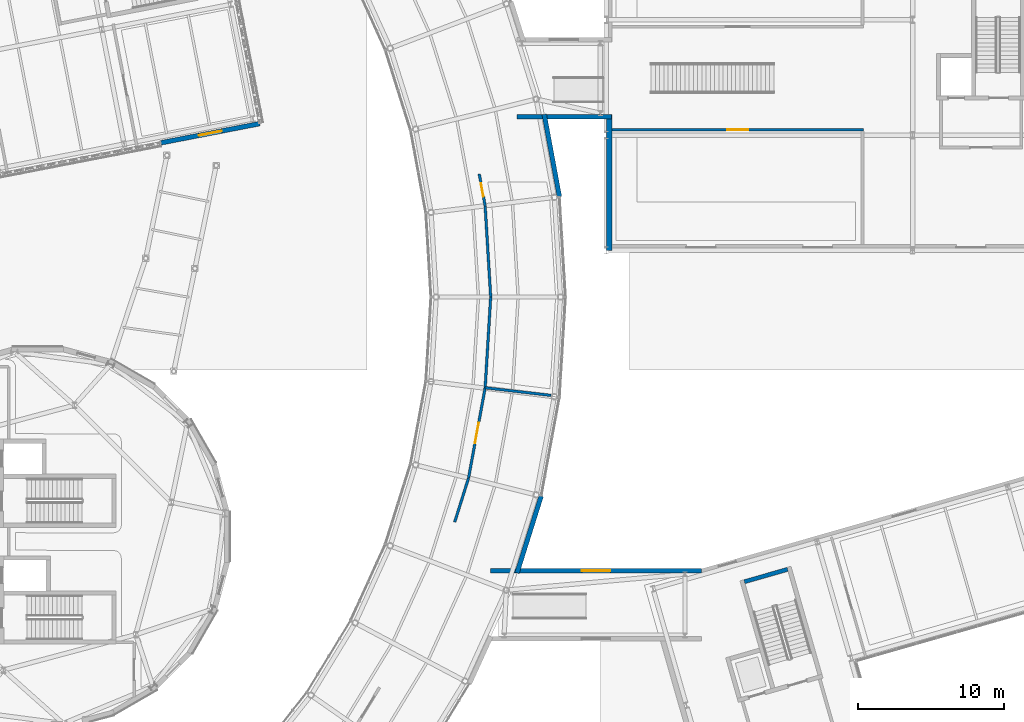
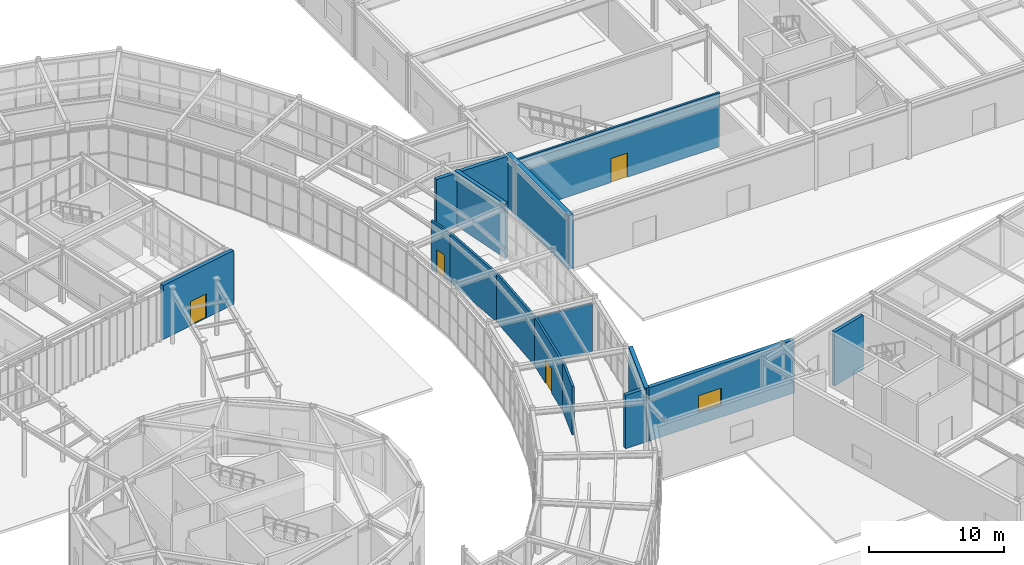
# One storey, part 74 of 97: 14 walls, 4 doors, 1 window, 5 openings.
"""IFC4 building model written with IfcOpenShell, lengths in metres."""

from ifc_helpers import new_model, si_unit, direction, frame, frame_2d, origin, place, context, subcontext, project, spatial, rectangle, extrude, material, layer, layer_set, type_object, element, fill, save


model = new_model("IFC4")

# Units and contexts
model_context = context("Model", 3, precision=1e-05, world=origin(), true_north=direction((0.0, 1.0)))
body_context = subcontext(model_context, "Body", "Model", "MODEL_VIEW")
ifc_project = project(units=[si_unit("LENGTHUNIT", "METRE"), si_unit("AREAUNIT", "SQUARE_METRE"), si_unit("VOLUMEUNIT", "CUBIC_METRE"), si_unit("PLANEANGLEUNIT", "RADIAN"), si_unit("MASSUNIT", "GRAM", prefix="KILO")], contexts=[model_context])

# Site, building, storey
site_placement = place(None, origin())
site = spatial("IfcSite", under=ifc_project, at=site_placement, CompositionType="ELEMENT")
building_placement = place(site_placement, origin())
building = spatial("IfcBuilding", under=site, at=building_placement, Name="Varnklinge Art Gallery", CompositionType="ELEMENT")
storey_placement = place(building_placement, origin())
storey = spatial("IfcBuildingStorey", under=building, at=storey_placement, Name="L00", CompositionType="ELEMENT", Elevation=0.0)

# Walls
ifc_material_1 = material(Name="Precast concrete C40/50", Category="concrete")
ifc_layer_1 = layer(ifc_material_1, 0.320068359375)
ifc_layer_set_1 = layer_set([ifc_layer_1], Name="Precast concrete C40/50")
wall_type_1 = type_object("IfcWallType", Name="EW-32", PredefinedType="SOLIDWALL", material=ifc_layer_set_1)
wall_1_placement = place(storey_placement, frame((109.93798828125, 41.349853515625, 0.0), z_axis=(0.0, 0.0, 1.0), x_axis=(-0.299711664702, -0.954029830792, 0.0)))
element("IfcWall", 1, at=wall_1_placement, inside=storey, type_object=wall_type_1, Name="EW-V2O-L00-K3-1", PredefinedType="SOLIDWALL", context=body_context, shape_type="SweptSolid", body=[
    extrude(rectangle(XDim=5.523681640625, YDim=0.320068359375, at=frame_2d((2.76171875, 0.0))), origin(), (0.0, 0.0, 1.0), 4.8798828125),
])
wall_2_placement = place(storey_placement, frame((110.14697265625, 67.52001953125, 0.0), z_axis=(0.0, 0.0, 1.0), x_axis=(0.181632279839, -0.983366521151, 0.0)))
element("IfcWall", 2, at=wall_2_placement, inside=storey, type_object=wall_type_1, Name="EW-V2O-L00-K7-1", PredefinedType="SOLIDWALL", context=body_context, shape_type="SweptSolid", body=[
    extrude(rectangle(XDim=5.739501953125, YDim=0.320068359375, at=frame_2d((2.86962890625, 0.0))), origin(), (0.0, 0.0, 1.0), 4.8798828125),
])

# Wall, opening, door
wall_3_placement = place(storey_placement, frame((90.6494140625, 66.887451171875, 0.0), z_axis=(0.0, 0.0, 1.0), x_axis=(-0.981626436546, -0.190812837813, 0.0)))
wall_3 = element("IfcWall", 3, at=wall_3_placement, inside=storey, type_object=wall_type_1, Name="EW-V4B-L00-EXIT", PredefinedType="SOLIDWALL", context=body_context, shape_type="SweptSolid", body=[
    extrude(rectangle(XDim=6.900146484375, YDim=0.320068359375, at=frame_2d((3.4501953125, 0.0))), origin(), (0.0, 0.0, 1.0), 4.8798828125),
])
opening_1_placement = place(wall_3_placement, frame((2.64990234375, 0.0, 0.0)))
opening_1 = element("IfcOpeningElement", 4, at=opening_1_placement, cuts=wall_3, Name="Opening D-L00-E16", PredefinedType="OPENING", context=body_context, shape_type="SweptSolid", body=[
    extrude(rectangle(XDim=1.60009765625, YDim=2.199951171875, at=frame_2d((0.800048828125, 1.10009765625))), frame((0.0, 0.170166015625, 0.0), z_axis=(0.0, -1.0, 0.0), x_axis=(1.0, 0.0, 0.0)), (0.0, 0.0, 1.0), 0.340087890625),
])
ifc_material_2 = material(Name="Anodised Aluminium", Category="aluminium")
door_type_1 = type_object("IfcDoorType", Name="ED-03", OperationType="DOUBLE_DOOR_SINGLE_SWING", PredefinedType="DOOR", material=ifc_material_2)
door_1_placement = place(opening_1_placement, origin())
door_1 = element("IfcDoor", 5, at=door_1_placement, inside=storey, type_object=door_type_1, Name="L00 Lattice Box Core C8 Final Exit Door D-L00-E16", OperationType="DOUBLE_DOOR_SINGLE_SWING", OverallHeight=2.199951171875, OverallWidth=1.60009765625, PredefinedType="DOOR", context=body_context, shape_type="SweptSolid", body=[
    extrude(rectangle(XDim=1.60009765625, YDim=2.199951171875, at=frame_2d((0.800048828125, 1.10009765625))), frame((0.0, 0.02490234375, 0.0), z_axis=(0.0, -1.0, 0.0), x_axis=(1.0, 0.0, 0.0)), (0.0, 0.0, 1.0), 0.050048828125),
])
fill(opening_1, door_1)

# Wall
wall_4_placement = place(storey_placement, frame((114.75, 67.360107421875, 0.0), z_axis=(0.0, 0.0, 1.0), x_axis=(-1.0, 0.0, 0.0)))
element("IfcWall", 6, at=wall_4_placement, inside=storey, type_object=wall_type_1, Name="L00 Gallery Link Wall EW-LNK-V1-L00-S", PredefinedType="SOLIDWALL", context=body_context, shape_type="SweptSolid", body=[
    extrude(rectangle(XDim=6.465576171875, YDim=0.320068359375, at=frame_2d((3.23291015625, 0.0))), origin(), (0.0, 0.0, 1.0), 4.820068359375),
])

# Wall, opening, window
wall_5_placement = place(storey_placement, frame((106.47998046875, 36.239990234375, 0.0), z_axis=(0.0, 0.0, 1.0), x_axis=(1.0, 0.0, 0.0)))
wall_5 = element("IfcWall", 7, at=wall_5_placement, inside=storey, type_object=wall_type_1, Name="L00 Gallery Link Wall EW-LNK-V6-L00-N", PredefinedType="SOLIDWALL", context=body_context, shape_type="SweptSolid", body=[
    extrude(rectangle(XDim=14.43994140625, YDim=0.320068359375, at=frame_2d((7.219970703125, 0.0))), origin(), (0.0, 0.0, 1.0), 4.820068359375),
])
opening_2_placement = place(wall_5_placement, frame((6.2451171875, 0.0, 1.1201171875)))
opening_2 = element("IfcOpeningElement", 8, at=opening_2_placement, cuts=wall_5, Name="Opening WN-05", PredefinedType="OPENING", context=body_context, shape_type="SweptSolid", body=[
    extrude(rectangle(XDim=1.949951171875, YDim=1.5, at=frame_2d((0.97509765625, 0.75))), frame((0.0, 0.170166015625, 0.0), z_axis=(0.0, -1.0, 0.0), x_axis=(1.0, 0.0, 0.0)), (0.0, 0.0, 1.0), 0.340087890625),
])
ifc_material_3 = material(Name="Insulated Low-E Triple Glazing", Category="glass")
window_type = type_object("IfcWindowType", Name="WN-05", PartitioningType="SINGLE_PANEL", PredefinedType="WINDOW", material=ifc_material_3)
window_placement = place(opening_2_placement, origin())
window = element("IfcWindow", 9, at=window_placement, inside=storey, type_object=window_type, Name="L00 Window WIN-L00-234", OverallHeight=1.5, OverallWidth=1.949951171875, PartitioningType="SINGLE_PANEL", PredefinedType="WINDOW", context=body_context, shape_type="SweptSolid", body=[
    extrude(rectangle(XDim=1.949951171875, YDim=1.5, at=frame_2d((0.97509765625, 0.75))), frame((0.0, 0.030029296875, 0.0), z_axis=(0.0, -1.0, 0.0), x_axis=(1.0, 0.0, 0.0)), (0.0, 0.0, 1.0), 0.06005859375),
])
fill(opening_2, window)

# Wall
ifc_material_4 = material(Name="Concrete C45/55", Category="concrete")
ifc_layer_2 = layer(ifc_material_4, 0.39990234375)
ifc_layer_set_2 = layer_set([ifc_layer_2], Name="Concrete C45/55")
wall_type_2 = type_object("IfcWallType", Name="EW-40", PredefinedType="SOLIDWALL", material=ifc_layer_set_2)
wall_6_placement = place(storey_placement, frame((114.60009765625, 58.199951171875, 0.0), z_axis=(0.0, 0.0, 1.0), x_axis=(0.0, 1.0, 0.0)))
element("IfcWall", 10, at=wall_6_placement, inside=storey, type_object=wall_type_2, Name="L00 Exterior Wall EW-V1-L00-01", PredefinedType="SOLIDWALL", context=body_context, shape_type="SweptSolid", body=[
    extrude(rectangle(XDim=9.320068359375, YDim=0.39990234375, at=frame_2d((4.66015625, 0.0))), origin(), (0.0, 0.0, 1.0), 4.8798828125),
])

# Wall, opening, door
ifc_material_5 = material(Name="Gypsum Board Partition", Category="gypsum")
ifc_layer_3 = layer(ifc_material_5, 0.179931640625)
ifc_layer_set_3 = layer_set([ifc_layer_3], Name="Gypsum Board Partition")
wall_type_3 = type_object("IfcWallType", Name="IW-18", PredefinedType="PARTITIONING", material=ifc_layer_set_3)
wall_7_placement = place(storey_placement, frame((132.030029296875, 66.469970703125, 0.0), z_axis=(0.0, 0.0, 1.0), x_axis=(-1.0, 0.0, 0.0)))
wall_7 = element("IfcWall", 11, at=wall_7_placement, inside=storey, type_object=wall_type_3, Name="L00 Partition Wall IW-L00-0038", PredefinedType="PARTITIONING", context=body_context, shape_type="SweptSolid", body=[
    extrude(rectangle(XDim=17.22607421875, YDim=0.179931640625, at=frame_2d((8.613037109375, 0.0))), origin(), (0.0, 0.0, 1.0), 4.8701171875),
])
opening_3_placement = place(wall_7_placement, frame((7.903076171875, 0.0, 0.0)))
opening_3 = element("IfcOpeningElement", 12, at=opening_3_placement, cuts=wall_7, Name="Opening D-L00-131", PredefinedType="OPENING", context=body_context, shape_type="SweptSolid", body=[
    extrude(rectangle(XDim=1.419921875, YDim=2.179931640625, at=frame_2d((0.7099609375, 1.08984375))), frame((0.0, 0.099853515625, 0.0), z_axis=(0.0, -1.0, 0.0), x_axis=(1.0, 0.0, 0.0)), (0.0, 0.0, 1.0), 0.199951171875),
])
ifc_material_6 = material(Name="Oak Timber Leaf", Category="wood")
door_type_2 = type_object("IfcDoorType", Name="ID-07", OperationType="DOUBLE_DOOR_SINGLE_SWING", PredefinedType="DOOR", material=ifc_material_6)
door_2_placement = place(opening_3_placement, origin())
door_2 = element("IfcDoor", 13, at=door_2_placement, inside=storey, type_object=door_type_2, Name="L00 L00 Large Sculpture Exhibition Gallery Door D-L00-131", OperationType="DOUBLE_DOOR_SINGLE_SWING", OverallHeight=2.179931640625, OverallWidth=1.419921875, PredefinedType="DOOR", context=body_context, shape_type="SweptSolid", body=[
    extrude(rectangle(XDim=1.419921875, YDim=2.179931640625, at=frame_2d((0.7099609375, 1.08984375))), frame((0.0, 0.02490234375, 0.0), z_axis=(0.0, -1.0, 0.0), x_axis=(1.0, 0.0, 0.0)), (0.0, 0.0, 1.0), 0.050048828125),
])
fill(opening_3, door_2)

wall_8_placement = place(storey_placement, frame((106.097900390625, 48.77734375, 0.0), z_axis=(0.0, 0.0, 1.0), x_axis=(-0.181080462483, -0.983468284241, 0.0)))
wall_8 = element("IfcWall", 14, at=wall_8_placement, inside=storey, type_object=wall_type_3, Name="L00 Partition Wall IW-L00-0060", PredefinedType="PARTITIONING", context=body_context, shape_type="SweptSolid", body=[
    extrude(rectangle(XDim=6.292236328125, YDim=0.179931640625, at=frame_2d((3.14599609375, 0.0))), origin(), (0.0, 0.0, 1.0), 4.3701171875),
])
opening_4_placement = place(wall_8_placement, frame((2.43603515625, 0.0, 0.0)))
opening_4 = element("IfcOpeningElement", 15, at=opening_4_placement, cuts=wall_8, Name="Opening D-L00-141", PredefinedType="OPENING", context=body_context, shape_type="SweptSolid", body=[
    extrude(rectangle(XDim=1.419921875, YDim=2.179931640625, at=frame_2d((0.7099609375, 1.08984375))), frame((0.0, 0.099853515625, 0.0), z_axis=(0.0, -1.0, 0.0), x_axis=(1.0, 0.0, 0.0)), (0.0, 0.0, 1.0), 0.199951171875),
])
door_3_placement = place(opening_4_placement, origin())
door_3 = element("IfcDoor", 16, at=door_3_placement, inside=storey, type_object=door_type_2, Name="L00 L00 East Ring Exhibition Gallery 2 Door D-L00-141", OperationType="DOUBLE_DOOR_SINGLE_SWING", OverallHeight=2.179931640625, OverallWidth=1.419921875, PredefinedType="DOOR", context=body_context, shape_type="SweptSolid", body=[
    extrude(rectangle(XDim=1.419921875, YDim=2.179931640625, at=frame_2d((0.7099609375, 1.08984375))), frame((0.0, 0.02490234375, 0.0), z_axis=(0.0, -1.0, 0.0), x_axis=(1.0, 0.0, 0.0)), (0.0, 0.0, 1.0), 0.050048828125),
])
fill(opening_4, door_3)

# Wall
wall_9_placement = place(storey_placement, frame((104.95849609375, 42.589111328125, 0.0), z_axis=(0.0, 0.0, 1.0), x_axis=(-0.299724283607, -0.954025866429, 0.0)))
element("IfcWall", 17, at=wall_9_placement, inside=storey, type_object=wall_type_3, Name="L00 Partition Wall IW-L00-0061", PredefinedType="PARTITIONING", context=body_context, shape_type="SweptSolid", body=[
    extrude(rectangle(XDim=3.16455078125, YDim=0.179931640625, at=frame_2d((1.582275390625, 0.0))), origin(), (0.0, 0.0, 1.0), 4.3701171875),
])

# Wall, opening, door
wall_10_placement = place(storey_placement, frame((105.693603515625, 63.429931640625, 0.0), z_axis=(0.0, 0.0, 1.0), x_axis=(0.181560591945, -0.98337975953, 0.0)))
wall_10 = element("IfcWall", 18, at=wall_10_placement, inside=storey, type_object=wall_type_3, Name="L00 Partition Wall IW-L00-0062", PredefinedType="PARTITIONING", context=body_context, shape_type="SweptSolid", body=[
    extrude(rectangle(XDim=2.216064453125, YDim=0.179931640625, at=frame_2d((1.10791015625, 0.0))), origin(), (0.0, 0.0, 1.0), 4.3701171875),
])
opening_5_placement = place(wall_10_placement, frame((0.64794921875, 0.0, 0.0)))
opening_5 = element("IfcOpeningElement", 19, at=opening_5_placement, cuts=wall_10, Name="Opening D-L00-142", PredefinedType="OPENING", context=body_context, shape_type="SweptSolid", body=[
    extrude(rectangle(XDim=0.919921875, YDim=2.080078125, at=frame_2d((0.4599609375, 1.0400390625))), frame((0.0, 0.099853515625, 0.0), z_axis=(0.0, -1.0, 0.0), x_axis=(1.0, 0.0, 0.0)), (0.0, 0.0, 1.0), 0.199951171875),
])
ifc_material_7 = material(Name="Oak Timber Leaf", Category="wood")
door_type_3 = type_object("IfcDoorType", Name="ID-01", OperationType="SINGLE_SWING_LEFT", PredefinedType="DOOR", material=ifc_material_7)
door_4_placement = place(opening_5_placement, origin())
door_4 = element("IfcDoor", 20, at=door_4_placement, inside=storey, type_object=door_type_3, Name="L00 L00 Northeast Ring Sculpture Gallery Door D-L00-142", OperationType="SINGLE_SWING_RIGHT", OverallHeight=2.080078125, OverallWidth=0.919921875, PredefinedType="DOOR", context=body_context, shape_type="SweptSolid", body=[
    extrude(rectangle(XDim=0.919921875, YDim=2.080078125, at=frame_2d((0.4599609375, 1.0400390625))), frame((0.0, 0.02490234375, 0.0), z_axis=(0.0, -1.0, 0.0), x_axis=(1.0, 0.0, 0.0)), (0.0, 0.0, 1.0), 0.050048828125),
])
fill(opening_5, door_4)

# Walls
wall_11_placement = place(storey_placement, frame((106.095947265625, 61.250732421875, 0.0), z_axis=(0.0, 0.0, 1.0), x_axis=(0.060834142285, -0.998147888408, 0.0)))
element("IfcWall", 21, at=wall_11_placement, inside=storey, type_object=wall_type_3, Name="L00 Partition Wall IW-L00-0063", PredefinedType="PARTITIONING", context=body_context, shape_type="SweptSolid", body=[
    extrude(rectangle(XDim=6.260498046875, YDim=0.179931640625, at=frame_2d((3.13037109375, 0.0))), origin(), (0.0, 0.0, 1.0), 4.3701171875),
])
wall_12_placement = place(storey_placement, frame((106.476806640625, 55.001708984375, 0.0), z_axis=(0.0, 0.0, 1.0), x_axis=(-0.060762201359, -0.998152270391, 0.0)))
element("IfcWall", 22, at=wall_12_placement, inside=storey, type_object=wall_type_3, Name="L00 Partition Wall IW-L00-0064", PredefinedType="PARTITIONING", context=body_context, shape_type="SweptSolid", body=[
    extrude(rectangle(XDim=6.23583984375, YDim=0.179931640625, at=frame_2d((3.117919921875, 0.0))), origin(), (0.0, 0.0, 1.0), 4.3701171875),
])
wall_13_placement = place(storey_placement, frame((106.099365234375, 48.777099609375, 0.0), z_axis=(0.0, 0.0, 1.0), x_axis=(0.993352407823, -0.11511296136, 0.0)))
element("IfcWall", 23, at=wall_13_placement, inside=storey, type_object=wall_type_3, Name="L00 Partition Wall IW-L00-0137", PredefinedType="PARTITIONING", context=body_context, shape_type="SweptSolid", body=[
    extrude(rectangle(XDim=4.54931640625, YDim=0.179931640625, at=frame_2d((2.274658203125, 0.0))), origin(), (0.0, 0.0, 1.0), 4.3701171875),
])
ifc_material_8 = material(Name="Concrete C40/50", Category="concrete")
ifc_layer_4 = layer(ifc_material_8, 0.280029296875)
ifc_layer_set_4 = layer_set([ifc_layer_4], Name="Concrete C40/50")
wall_type_4 = type_object("IfcWallType", Name="SW-28", PredefinedType="SHEAR", material=ifc_layer_set_4)
wall_14_placement = place(storey_placement, frame((126.832275390625, 36.33056640625, 0.0), z_axis=(0.0, 0.0, 1.0), x_axis=(-0.961269283639, -0.275610892984, 0.0)))
element("IfcWall", 24, at=wall_14_placement, inside=storey, type_object=wall_type_4, Name="L00 Core C5 East Shear Wall", PredefinedType="SHEAR", context=body_context, shape_type="SweptSolid", body=[
    extrude(rectangle(XDim=3.080078125, YDim=0.280029296875, at=frame_2d((1.5400390625, 0.0))), origin(), (0.0, 0.0, 1.0), 4.8798828125),
])

save(model, "model.ifc")
